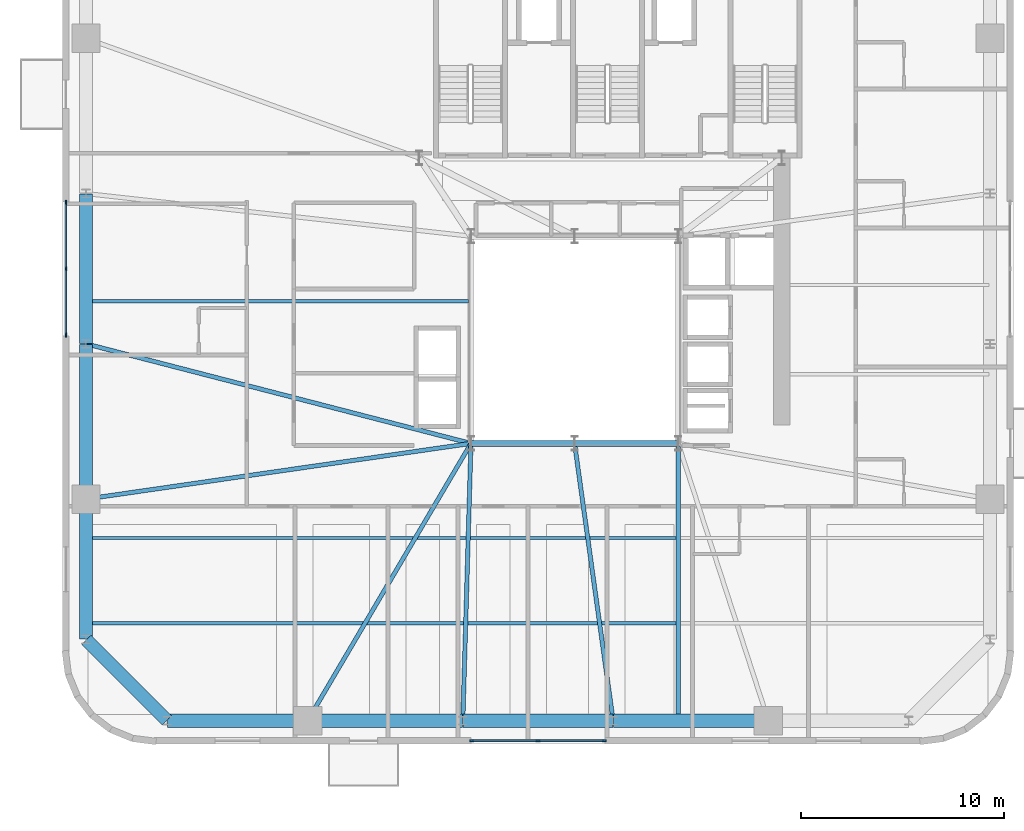
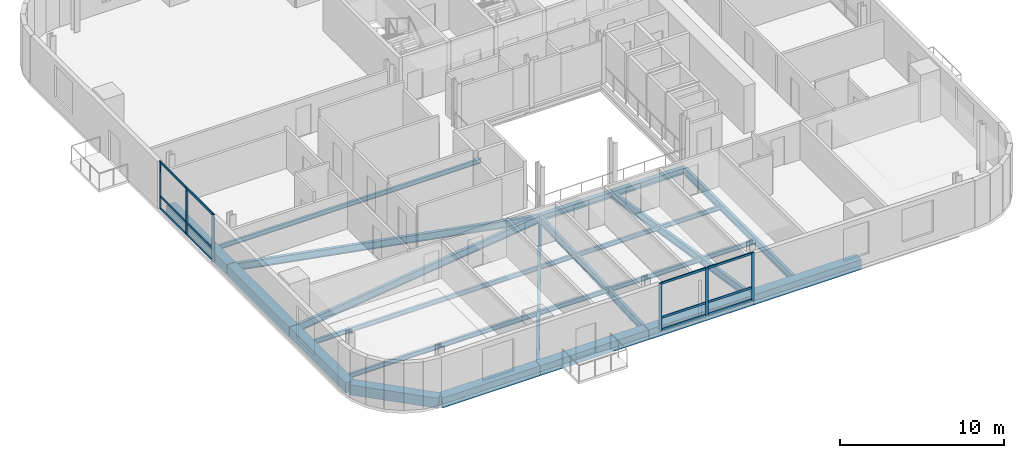
# One storey, part 3 of 16: 19 beams, 18 members, 2 elements without a shape of their own.
"""IFC4 building model written with IfcOpenShell, lengths in metres."""

from ifc_helpers import new_model, si_unit, direction, frame, origin, origin_2d, place, context, subcontext, project, spatial, rectangle, i_section, extrude, source, transform, mapped, material, material_profile, profile_set, type_object, element, aggregate, save


model = new_model("IFC4")

# Units and contexts
model_context = context("Model", 3, precision=1e-05, world=origin(), true_north=direction((0.0, 1.0)))
body_context = subcontext(model_context, "Body", "Model", "MODEL_VIEW")
ifc_project = project(units=[si_unit("LENGTHUNIT", "METRE"), si_unit("AREAUNIT", "SQUARE_METRE"), si_unit("VOLUMEUNIT", "CUBIC_METRE"), si_unit("PLANEANGLEUNIT", "RADIAN"), si_unit("MASSUNIT", "GRAM", prefix="KILO")], contexts=[model_context])

# Site, building, storey
site_placement = place(None, origin())
site = spatial("IfcSite", under=ifc_project, at=site_placement, CompositionType="ELEMENT")
building_placement = place(site_placement, origin())
building = spatial("IfcBuilding", under=site, at=building_placement, Name="Vardaveli Station Tower", CompositionType="ELEMENT")
storey_placement = place(building_placement, frame((0.0, 0.0, 184.800048828125)))
storey = spatial("IfcBuildingStorey", under=building, at=storey_placement, Name="L47", CompositionType="ELEMENT", Elevation=184.800048828125)

# Beams
ifc_material_1 = material(Name="Structural steel S355J2", Category="steel")
ifc_material_profile_1 = material_profile(ifc_material_1, i_section(OverallWidth=0.300048828125, OverallDepth=0.449951171875, WebThickness=0.013916015625, FlangeThickness=0.02587890625, FilletRadius=0.027099609375, at=origin_2d()), Name="HEB 450")
ifc_profile_set_1 = profile_set([ifc_material_profile_1], Name="Structural steel S355J2")
beam_type_1 = type_object("IfcBeamType", Name="BM-HEB450", PredefinedType="BEAM", material=ifc_profile_set_1)
shared_shape_1 = source(origin(), body_context, "Body", "SweptSolid", [
    extrude(i_section(OverallWidth=0.300048828125, OverallDepth=0.449951171875, WebThickness=0.013916015625, FlangeThickness=0.02587890625, FilletRadius=0.027099609375, at=origin_2d()), origin(), (0.0, 0.0, 1.0), 5.06005859375),
])
beam_1_placement = place(storey_placement, frame((31.219970703125, 16.60009765625, -0.445068359375), z_axis=(1.0, 0.0, 0.0), x_axis=(0.0, 1.0, 0.0)))
element("IfcBeam", 1, at=beam_1_placement, inside=storey, type_object=beam_type_1, Name="ABM-L47-01", PredefinedType="BEAM", context=body_context, shape_type="MappedRepresentation", body=[
    mapped(shared_shape_1, transform((0.0, 0.0, 0.0), scale=1.0)),
])
shared_shape_2 = source(origin(), body_context, "Body", "SweptSolid", [
    extrude(i_section(OverallWidth=0.300048828125, OverallDepth=0.449951171875, WebThickness=0.013916015625, FlangeThickness=0.02587890625, FilletRadius=0.027099609375, at=origin_2d()), origin(), (0.0, 0.0, 1.0), 5.059814453125),
])
beam_2_placement = place(storey_placement, frame((36.320068359375, 16.60009765625, -0.445068359375), z_axis=(1.0, 0.0, 0.0), x_axis=(0.0, 1.0, 0.0)))
element("IfcBeam", 2, at=beam_2_placement, inside=storey, type_object=beam_type_1, Name="ABM-L47-02", PredefinedType="BEAM", context=body_context, shape_type="MappedRepresentation", body=[
    mapped(shared_shape_2, transform((0.0, 0.0, 0.0), scale=1.0)),
])
ifc_material_2 = material(Name="Precast concrete C45/55", Category="concrete")
ifc_material_profile_2 = material_profile(ifc_material_2, rectangle(XDim=0.64990234375, YDim=0.75, at=origin_2d()), Name="LPB 650x750")
ifc_profile_set_2 = profile_set([ifc_material_profile_2], Name="Precast concrete C45/55")
beam_type_2 = type_object("IfcBeamType", Name="BM-LPB-750", PredefinedType="BEAM", material=ifc_profile_set_2)
shared_shape_3 = source(origin(), body_context, "Body", "SweptSolid", [
    extrude(rectangle(XDim=0.64990234375, YDim=0.75, at=origin_2d()), origin(), (0.0, 0.0, 1.0), 7.60009765625),
])
for number, where, z_axis, x_axis, name in (
    (3, (23.179931640625, 2.949951171875, -0.594970703125), (1.0, 0.0, 0.0), (0.0, 1.0, 0.0), "RBM-L47-01"),
    (4, (38.219970703125, 2.949951171875, -0.594970703125), (1.0, 0.0, 0.0), (0.0, 1.0, 0.0), "RBM-L47-03"),
    (5, (12.25, 21.47998046875, -0.594970703125), (0.0, -1.0, 0.0), (1.0, 0.0, 0.0), "RBM-L47-21"),
):
    element("IfcBeam", number, at=place(storey_placement, frame(where, z_axis=z_axis, x_axis=x_axis)), inside=storey, type_object=beam_type_2, Name=name, PredefinedType="BEAM", context=body_context, shape_type="MappedRepresentation", body=[
        mapped(shared_shape_3, transform((0.0, 0.0, 0.0), scale=1.0)),
    ])
shared_shape_4 = source(origin(), body_context, "Body", "SweptSolid", [
    extrude(rectangle(XDim=0.64990234375, YDim=0.75, at=origin_2d()), origin(), (0.0, 0.0, 1.0), 7.35986328125),
])
for number, where, z_axis, x_axis, name in (
    (6, (30.820068359375, 2.949951171875, -0.594970703125), (1.0, 0.0, 0.0), (0.0, 1.0, 0.0), "RBM-L47-02"),
    (7, (12.25, 28.8798828125, -0.594970703125), (0.0, -1.0, 0.0), (1.0, 0.0, 0.0), "RBM-L47-20"),
):
    element("IfcBeam", number, at=place(storey_placement, frame(where, z_axis=z_axis, x_axis=x_axis)), inside=storey, type_object=beam_type_2, Name=name, PredefinedType="BEAM", context=body_context, shape_type="MappedRepresentation", body=[
        mapped(shared_shape_4, transform((0.0, 0.0, 0.0), scale=1.0)),
    ])
shared_shape_5 = source(origin(), body_context, "Body", "SweptSolid", [
    extrude(rectangle(XDim=0.64990234375, YDim=0.75, at=origin_2d()), origin(), (0.0, 0.0, 1.0), 6.869873046875),
])
beam_3_placement = place(storey_placement, frame((16.27001953125, 2.949951171875, -0.594970703125), z_axis=(1.0, 0.0, 0.0), x_axis=(0.0, 1.0, 0.0)))
element("IfcBeam", 8, at=beam_3_placement, inside=storey, type_object=beam_type_2, Name="RBM-L47-24", PredefinedType="BEAM", context=body_context, shape_type="MappedRepresentation", body=[
    mapped(shared_shape_5, transform((0.0, 0.0, 0.0), scale=1.0)),
])
shared_shape_6 = source(origin(), body_context, "Body", "SweptSolid", [
    extrude(rectangle(XDim=0.64990234375, YDim=0.75, at=origin_2d()), origin(), (0.0, 0.0, 1.0), 5.61669921875),
])
beam_4_placement = place(storey_placement, frame((12.26416015625, 6.935791015625, -0.594970703125), z_axis=(0.707106781187, -0.707106781187, 0.0), x_axis=(0.707106781187, 0.707106781187, 0.0)))
element("IfcBeam", 9, at=beam_4_placement, inside=storey, type_object=beam_type_2, Name="RBM-L47-23", PredefinedType="BEAM", context=body_context, shape_type="MappedRepresentation", body=[
    mapped(shared_shape_6, transform((0.0, 0.0, 0.0), scale=1.0)),
])
shared_shape_7 = source(origin(), body_context, "Body", "SweptSolid", [
    extrude(rectangle(XDim=0.64990234375, YDim=0.75, at=origin_2d()), origin(), (0.0, 0.0, 1.0), 6.8701171875),
])
beam_5_placement = place(storey_placement, frame((12.25, 13.840087890625, -0.594970703125), z_axis=(0.0, -1.0, 0.0), x_axis=(1.0, 0.0, 0.0)))
element("IfcBeam", 10, at=beam_5_placement, inside=storey, type_object=beam_type_2, Name="RBM-L47-22", PredefinedType="BEAM", context=body_context, shape_type="MappedRepresentation", body=[
    mapped(shared_shape_7, transform((0.0, 0.0, 0.0), scale=1.0)),
])
ifc_material_profile_3 = material_profile(ifc_material_1, i_section(OverallWidth=0.2099609375, OverallDepth=0.550048828125, WebThickness=0.010986328125, FlangeThickness=0.01708984375, FilletRadius=0.02392578125, at=origin_2d()), Name="IPE 550")
ifc_profile_set_3 = profile_set([ifc_material_profile_3], Name="Structural steel S355J2")
beam_type_3 = type_object("IfcBeamType", Name="BM-IPE550", PredefinedType="BEAM", material=ifc_profile_set_3)
shared_shape_8 = source(origin(), body_context, "Body", "SweptSolid", [
    extrude(i_section(OverallWidth=0.2099609375, OverallDepth=0.550048828125, WebThickness=0.010986328125, FlangeThickness=0.01708984375, FilletRadius=0.02392578125, at=origin_2d()), origin(), (0.0, 0.0, 1.0), 13.469970703125),
])
beam_6_placement = place(storey_placement, frame((41.39990234375, 2.989990234375, -0.4951171875), z_axis=(0.0, 1.0, 0.0), x_axis=(-1.0, 0.0, 0.0)))
element("IfcBeam", 11, at=beam_6_placement, inside=storey, type_object=beam_type_3, Name="NSM-L47-S2", PredefinedType="BEAM", context=body_context, shape_type="MappedRepresentation", body=[
    mapped(shared_shape_8, transform((0.0, 0.0, 0.0), scale=1.0)),
])
ifc_material_profile_4 = material_profile(ifc_material_1, i_section(OverallWidth=0.159912109375, OverallDepth=0.330078125, WebThickness=0.007568359375, FlangeThickness=0.011474609375, FilletRadius=0.01806640625, at=origin_2d()), Name="IPE 330")
ifc_profile_set_4 = profile_set([ifc_material_profile_4], Name="Structural steel S355J2")
beam_type_4 = type_object("IfcBeamType", Name="BM-IPE330", PredefinedType="JOIST", material=ifc_profile_set_4)
shared_shape_9 = source(origin(), body_context, "Body", "SweptSolid", [
    extrude(i_section(OverallWidth=0.159912109375, OverallDepth=0.330078125, WebThickness=0.007568359375, FlangeThickness=0.011474609375, FilletRadius=0.01806640625, at=origin_2d()), origin(), (0.0, 0.0, 1.0), 28.998046875),
])
for number, where, z_axis, x_axis, name in (
    (12, (12.2900390625, 7.75, -0.385009765625), (1.0, 0.0, 0.0), (0.0, 1.0, 0.0), "SJ-L47-S01"),
    (13, (12.2900390625, 11.949951171875, -0.385009765625), (1.0, 0.0, 0.0), (0.0, 1.0, 0.0), "SJ-L47-S03"),
):
    element("IfcBeam", number, at=place(storey_placement, frame(where, z_axis=z_axis, x_axis=x_axis)), inside=storey, type_object=beam_type_4, Name=name, PredefinedType="JOIST", context=body_context, shape_type="MappedRepresentation", body=[
        mapped(shared_shape_9, transform((0.0, 0.0, 0.0), scale=1.0)),
    ])
shared_shape_10 = source(origin(), body_context, "Body", "SweptSolid", [
    extrude(i_section(OverallWidth=0.159912109375, OverallDepth=0.330078125, WebThickness=0.007568359375, FlangeThickness=0.011474609375, FilletRadius=0.01806640625, at=origin_2d()), origin(), (0.0, 0.0, 1.0), 18.7978515625),
])
beam_7_placement = place(storey_placement, frame((12.2900390625, 23.60009765625, -0.385009765625), z_axis=(1.0, 0.0, 0.0), x_axis=(0.0, 1.0, 0.0)))
element("IfcBeam", 14, at=beam_7_placement, inside=storey, type_object=beam_type_4, Name="SJ-L47-W06", PredefinedType="JOIST", context=body_context, shape_type="MappedRepresentation", body=[
    mapped(shared_shape_10, transform((0.0, 0.0, 0.0), scale=1.0)),
])
shared_shape_11 = source(origin(), body_context, "Body", "SweptSolid", [
    extrude(i_section(OverallWidth=0.2099609375, OverallDepth=0.550048828125, WebThickness=0.010986328125, FlangeThickness=0.01708984375, FilletRadius=0.02392578125, at=origin_2d()), origin(), (0.0, 0.0, 1.0), 15.8017578125),
])
beam_8_placement = place(storey_placement, frame((23.170166015625, 2.96728515625, -0.4951171875), z_axis=(0.507521713546, 0.86163896748, 0.0), x_axis=(-0.86163896748, 0.507521713546, 0.0)))
element("IfcBeam", 15, at=beam_8_placement, inside=storey, type_object=beam_type_3, Name="GBM-L47-01", PredefinedType="BEAM", context=body_context, shape_type="MappedRepresentation", body=[
    mapped(shared_shape_11, transform((0.0, 0.0, 0.0), scale=1.0)),
])
shared_shape_12 = source(origin(), body_context, "Body", "SweptSolid", [
    extrude(i_section(OverallWidth=0.2099609375, OverallDepth=0.550048828125, WebThickness=0.010986328125, FlangeThickness=0.01708984375, FilletRadius=0.02392578125, at=origin_2d()), origin(), (0.0, 0.0, 1.0), 13.615966796875),
])
beam_9_placement = place(storey_placement, frame((30.800537109375, 2.969970703125, -0.4951171875), z_axis=(0.029298411379, 0.9995707094, 0.0), x_axis=(-0.9995707094, 0.029298411379, 0.0)))
element("IfcBeam", 16, at=beam_9_placement, inside=storey, type_object=beam_type_3, Name="GBM-L47-02", PredefinedType="BEAM", context=body_context, shape_type="MappedRepresentation", body=[
    mapped(shared_shape_12, transform((0.0, 0.0, 0.0), scale=1.0)),
])
shared_shape_13 = source(origin(), body_context, "Body", "SweptSolid", [
    extrude(i_section(OverallWidth=0.2099609375, OverallDepth=0.550048828125, WebThickness=0.010986328125, FlangeThickness=0.01708984375, FilletRadius=0.02392578125, at=origin_2d()), origin(), (0.0, 0.0, 1.0), 13.741455078125),
])
beam_10_placement = place(storey_placement, frame((38.197265625, 2.9697265625, -0.4951171875), z_axis=(-0.137868554024, 0.990450534762, 0.0), x_axis=(-0.990450534762, -0.137868554024, 0.0)))
element("IfcBeam", 17, at=beam_10_placement, inside=storey, type_object=beam_type_3, Name="GBM-L47-03", PredefinedType="BEAM", context=body_context, shape_type="MappedRepresentation", body=[
    mapped(shared_shape_13, transform((0.0, 0.0, 0.0), scale=1.0)),
])
shared_shape_14 = source(origin(), body_context, "Body", "SweptSolid", [
    extrude(i_section(OverallWidth=0.2099609375, OverallDepth=0.550048828125, WebThickness=0.010986328125, FlangeThickness=0.01708984375, FilletRadius=0.02392578125, at=origin_2d()), origin(), (0.0, 0.0, 1.0), 19.533447265625),
])
beam_11_placement = place(storey_placement, frame((12.269287109375, 21.494873046875, -0.4951171875), z_axis=(0.968159081778, -0.250335759272, 0.0), x_axis=(0.250335759272, 0.968159081778, 0.0)))
element("IfcBeam", 18, at=beam_11_placement, inside=storey, type_object=beam_type_3, Name="GBM-L47-09", PredefinedType="BEAM", context=body_context, shape_type="MappedRepresentation", body=[
    mapped(shared_shape_14, transform((0.0, 0.0, 0.0), scale=1.0)),
])
shared_shape_15 = source(origin(), body_context, "Body", "SweptSolid", [
    extrude(i_section(OverallWidth=0.2099609375, OverallDepth=0.550048828125, WebThickness=0.010986328125, FlangeThickness=0.01708984375, FilletRadius=0.02392578125, at=origin_2d()), origin(), (0.0, 0.0, 1.0), 19.107177734375),
])
beam_12_placement = place(storey_placement, frame((12.269775390625, 13.86279296875, -0.4951171875), z_axis=(0.989707072711, 0.143108036903, 0.0), x_axis=(-0.143108036903, 0.989707072711, 0.0)))
element("IfcBeam", 19, at=beam_12_placement, inside=storey, type_object=beam_type_3, Name="GBM-L47-10", PredefinedType="BEAM", context=body_context, shape_type="MappedRepresentation", body=[
    mapped(shared_shape_15, transform((0.0, 0.0, 0.0), scale=1.0)),
])

# Curtain wall, members
ifc_material_3 = material(Name="Travertine stone and solar-control glass", Category="masonry")
curtain_wall_type = type_object("IfcCurtainWallType", Name="CW-SYS-5", PredefinedType="NOTDEFINED", material=ifc_material_3)
curtain_wall_1_placement = place(storey_placement, origin())
curtain_wall_1 = element("IfcCurtainWall", 20, at=curtain_wall_1_placement, inside=storey, type_object=curtain_wall_type, Name="CW-L47-S", PredefinedType="NOTDEFINED")
ifc_material_4 = material(Name="Anodised aluminium alloy 6063-T6", Category="aluminium")
ifc_material_profile_5 = material_profile(ifc_material_4, rectangle(XDim=0.080078125, YDim=0.1650390625, at=origin_2d()), Name="CWT 80x165")
ifc_profile_set_5 = profile_set([ifc_material_profile_5], Name="Anodised aluminium alloy 6063-T6")
member_type_1 = type_object("IfcMemberType", Name="CW-SYS-5-TRAN", PredefinedType="NOTDEFINED", material=ifc_profile_set_5)
shared_shape_16 = source(origin(), body_context, "Body", "SweptSolid", [
    extrude(rectangle(XDim=0.080078125, YDim=0.1650390625, at=origin_2d()), origin(), (0.0, 0.0, 1.0), 3.179931640625),
])
member_1_placement = place(storey_placement, frame((31.280029296875, 1.9599609375, 0.0400390625), z_axis=(1.0, 0.0, 0.0), x_axis=(0.0, 1.0, 0.0)))
member_1 = element("IfcMember", 21, at=member_1_placement, type_object=member_type_1, Name="CW-5 transom 1.1", ObjectType="TRANSOM", PredefinedType="USERDEFINED", context=body_context, shape_type="MappedRepresentation", body=[
    mapped(shared_shape_16, transform((0.0, 0.0, 0.0), scale=1.0)),
])
member_2_placement = place(storey_placement, frame((31.280029296875, 1.9599609375, 0.949951171875), z_axis=(1.0, 0.0, 0.0), x_axis=(0.0, 1.0, 0.0)))
member_2 = element("IfcMember", 22, at=member_2_placement, type_object=member_type_1, Name="CW-5 transom 1.2", ObjectType="TRANSOM", PredefinedType="USERDEFINED", context=body_context, shape_type="MappedRepresentation", body=[
    mapped(shared_shape_16, transform((0.0, 0.0, 0.0), scale=1.0)),
])
member_3_placement = place(storey_placement, frame((31.280029296875, 1.9599609375, 3.489990234375), z_axis=(1.0, 0.0, 0.0), x_axis=(0.0, 1.0, 0.0)))
member_3 = element("IfcMember", 23, at=member_3_placement, type_object=member_type_1, Name="CW-5 transom 1.3", ObjectType="TRANSOM", PredefinedType="USERDEFINED", context=body_context, shape_type="MappedRepresentation", body=[
    mapped(shared_shape_16, transform((0.0, 0.0, 0.0), scale=1.0)),
])
member_4_placement = place(storey_placement, frame((34.5400390625, 1.9599609375, 0.0400390625), z_axis=(1.0, 0.0, 0.0), x_axis=(0.0, 1.0, 0.0)))
member_4 = element("IfcMember", 24, at=member_4_placement, type_object=member_type_1, Name="CW-5 transom 2.1", ObjectType="TRANSOM", PredefinedType="USERDEFINED", context=body_context, shape_type="MappedRepresentation", body=[
    mapped(shared_shape_16, transform((0.0, 0.0, 0.0), scale=1.0)),
])
member_5_placement = place(storey_placement, frame((34.5400390625, 1.9599609375, 0.949951171875), z_axis=(1.0, 0.0, 0.0), x_axis=(0.0, 1.0, 0.0)))
member_5 = element("IfcMember", 25, at=member_5_placement, type_object=member_type_1, Name="CW-5 transom 2.2", ObjectType="TRANSOM", PredefinedType="USERDEFINED", context=body_context, shape_type="MappedRepresentation", body=[
    mapped(shared_shape_16, transform((0.0, 0.0, 0.0), scale=1.0)),
])
member_6_placement = place(storey_placement, frame((34.5400390625, 1.9599609375, 3.489990234375), z_axis=(1.0, 0.0, 0.0), x_axis=(0.0, 1.0, 0.0)))
member_6 = element("IfcMember", 26, at=member_6_placement, type_object=member_type_1, Name="CW-5 transom 2.3", ObjectType="TRANSOM", PredefinedType="USERDEFINED", context=body_context, shape_type="MappedRepresentation", body=[
    mapped(shared_shape_16, transform((0.0, 0.0, 0.0), scale=1.0)),
])

curtain_wall_2_placement = place(storey_placement, origin())
curtain_wall_2 = element("IfcCurtainWall", 27, at=curtain_wall_2_placement, inside=storey, type_object=curtain_wall_type, Name="CW-L47-W", PredefinedType="NOTDEFINED")
member_7_placement = place(storey_placement, frame((11.260009765625, 28.419921875, 0.0400390625), z_axis=(0.0, -1.0, 0.0), x_axis=(1.0, 0.0, 0.0)))
member_7 = element("IfcMember", 28, at=member_7_placement, type_object=member_type_1, Name="CW-5 transom 1.1", ObjectType="TRANSOM", PredefinedType="USERDEFINED", context=body_context, shape_type="MappedRepresentation", body=[
    mapped(shared_shape_16, transform((0.0, 0.0, 0.0), scale=1.0)),
])
member_8_placement = place(storey_placement, frame((11.260009765625, 28.419921875, 0.949951171875), z_axis=(0.0, -1.0, 0.0), x_axis=(1.0, 0.0, 0.0)))
member_8 = element("IfcMember", 29, at=member_8_placement, type_object=member_type_1, Name="CW-5 transom 1.2", ObjectType="TRANSOM", PredefinedType="USERDEFINED", context=body_context, shape_type="MappedRepresentation", body=[
    mapped(shared_shape_16, transform((0.0, 0.0, 0.0), scale=1.0)),
])
member_9_placement = place(storey_placement, frame((11.260009765625, 28.419921875, 3.489990234375), z_axis=(0.0, -1.0, 0.0), x_axis=(1.0, 0.0, 0.0)))
member_9 = element("IfcMember", 30, at=member_9_placement, type_object=member_type_1, Name="CW-5 transom 1.3", ObjectType="TRANSOM", PredefinedType="USERDEFINED", context=body_context, shape_type="MappedRepresentation", body=[
    mapped(shared_shape_16, transform((0.0, 0.0, 0.0), scale=1.0)),
])
member_10_placement = place(storey_placement, frame((11.260009765625, 25.159912109375, 0.0400390625), z_axis=(0.0, -1.0, 0.0), x_axis=(1.0, 0.0, 0.0)))
member_10 = element("IfcMember", 31, at=member_10_placement, type_object=member_type_1, Name="CW-5 transom 2.1", ObjectType="TRANSOM", PredefinedType="USERDEFINED", context=body_context, shape_type="MappedRepresentation", body=[
    mapped(shared_shape_16, transform((0.0, 0.0, 0.0), scale=1.0)),
])
member_11_placement = place(storey_placement, frame((11.260009765625, 25.159912109375, 0.949951171875), z_axis=(0.0, -1.0, 0.0), x_axis=(1.0, 0.0, 0.0)))
member_11 = element("IfcMember", 32, at=member_11_placement, type_object=member_type_1, Name="CW-5 transom 2.2", ObjectType="TRANSOM", PredefinedType="USERDEFINED", context=body_context, shape_type="MappedRepresentation", body=[
    mapped(shared_shape_16, transform((0.0, 0.0, 0.0), scale=1.0)),
])
member_12_placement = place(storey_placement, frame((11.260009765625, 25.159912109375, 3.489990234375), z_axis=(0.0, -1.0, 0.0), x_axis=(1.0, 0.0, 0.0)))
member_12 = element("IfcMember", 33, at=member_12_placement, type_object=member_type_1, Name="CW-5 transom 2.3", ObjectType="TRANSOM", PredefinedType="USERDEFINED", context=body_context, shape_type="MappedRepresentation", body=[
    mapped(shared_shape_16, transform((0.0, 0.0, 0.0), scale=1.0)),
])

# Member
ifc_material_profile_6 = material_profile(ifc_material_4, rectangle(XDim=0.080078125, YDim=0.205078125, at=origin_2d()), Name="CWM 80x205")
ifc_profile_set_6 = profile_set([ifc_material_profile_6], Name="Anodised aluminium alloy 6063-T6")
member_type_2 = type_object("IfcMemberType", Name="CW-SYS-5-MULL", PredefinedType="MULLION", material=ifc_profile_set_6)
shared_shape_17 = source(origin(), body_context, "Body", "SweptSolid", [
    extrude(rectangle(XDim=0.080078125, YDim=0.205078125, at=origin_2d()), origin(), (0.0, 0.0, 1.0), 3.530029296875),
])
member_13_placement = place(storey_placement, frame((31.239990234375, 1.9599609375, 0.0), z_axis=(0.0, 0.0, 1.0), x_axis=(0.0, 1.0, 0.0)))
member_13 = element("IfcMember", 34, at=member_13_placement, type_object=member_type_2, Name="CW-5 mullion 1", PredefinedType="MULLION", context=body_context, shape_type="MappedRepresentation", body=[
    mapped(shared_shape_17, transform((0.0, 0.0, 0.0), scale=1.0)),
])

member_14_placement = place(storey_placement, frame((34.5, 1.9599609375, 0.0), z_axis=(0.0, 0.0, 1.0), x_axis=(0.0, 1.0, 0.0)))
member_14 = element("IfcMember", 35, at=member_14_placement, type_object=member_type_2, Name="CW-5 mullion 2", PredefinedType="MULLION", context=body_context, shape_type="MappedRepresentation", body=[
    mapped(shared_shape_17, transform((0.0, 0.0, 0.0), scale=1.0)),
])

member_15_placement = place(storey_placement, frame((37.760009765625, 1.9599609375, 0.0), z_axis=(0.0, 0.0, 1.0), x_axis=(0.0, 1.0, 0.0)))
member_15 = element("IfcMember", 36, at=member_15_placement, type_object=member_type_2, Name="CW-5 mullion 3", PredefinedType="MULLION", context=body_context, shape_type="MappedRepresentation", body=[
    mapped(shared_shape_17, transform((0.0, 0.0, 0.0), scale=1.0)),
])

aggregate(curtain_wall_1, [member_13, member_14, member_15, member_1, member_2, member_3, member_4, member_5, member_6])

member_16_placement = place(storey_placement, frame((11.260009765625, 28.4599609375, 0.0), z_axis=(0.0, 0.0, 1.0), x_axis=(1.0, 0.0, 0.0)))
member_16 = element("IfcMember", 37, at=member_16_placement, type_object=member_type_2, Name="CW-5 mullion 1", PredefinedType="MULLION", context=body_context, shape_type="MappedRepresentation", body=[
    mapped(shared_shape_17, transform((0.0, 0.0, 0.0), scale=1.0)),
])

member_17_placement = place(storey_placement, frame((11.260009765625, 25.199951171875, 0.0), z_axis=(0.0, 0.0, 1.0), x_axis=(1.0, 0.0, 0.0)))
member_17 = element("IfcMember", 38, at=member_17_placement, type_object=member_type_2, Name="CW-5 mullion 2", PredefinedType="MULLION", context=body_context, shape_type="MappedRepresentation", body=[
    mapped(shared_shape_17, transform((0.0, 0.0, 0.0), scale=1.0)),
])

member_18_placement = place(storey_placement, frame((11.260009765625, 21.93994140625, 0.0), z_axis=(0.0, 0.0, 1.0), x_axis=(1.0, 0.0, 0.0)))
member_18 = element("IfcMember", 39, at=member_18_placement, type_object=member_type_2, Name="CW-5 mullion 3", PredefinedType="MULLION", context=body_context, shape_type="MappedRepresentation", body=[
    mapped(shared_shape_17, transform((0.0, 0.0, 0.0), scale=1.0)),
])

aggregate(curtain_wall_2, [member_16, member_17, member_18, member_7, member_8, member_9, member_10, member_11, member_12])

save(model, "model.ifc")
